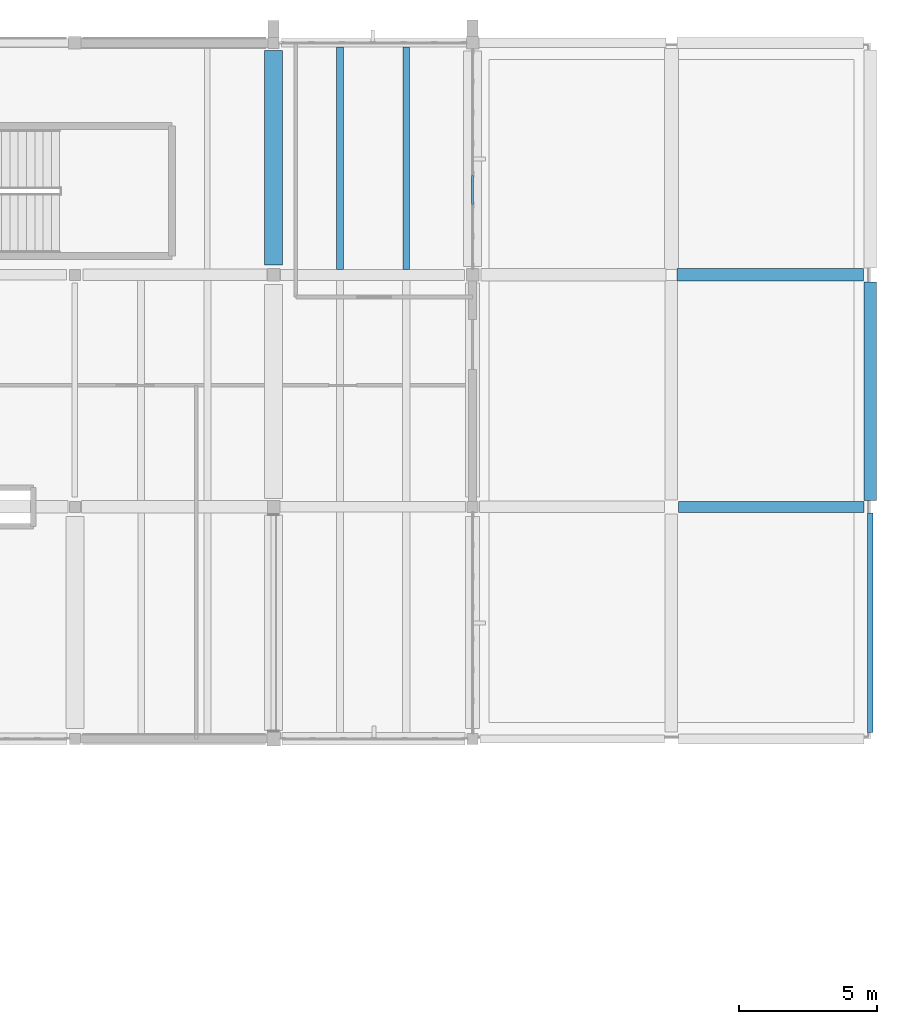
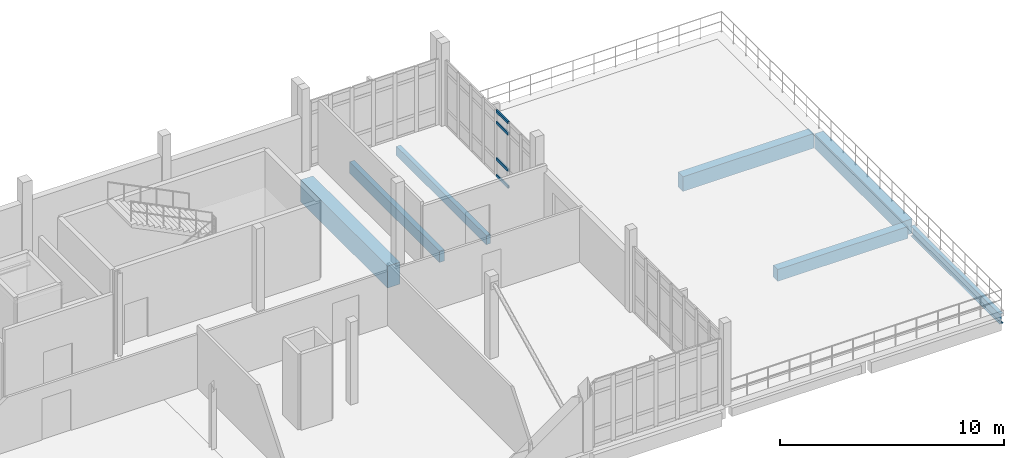
# One storey, part 19 of 34: 7 beams, 4 members, 1 element without a shape of its own.
"""IFC4 building model written with IfcOpenShell, lengths in metres."""

from ifc_helpers import new_model, si_unit, direction, frame, origin, origin_2d, place, context, subcontext, project, spatial, rectangle, hollow_rectangle, i_section, extrude, material, material_profile, profile_set, type_object, element, aggregate, save


model = new_model("IFC4")

# Units and contexts
model_context = context("Model", 3, precision=1e-05, world=origin(), true_north=direction((0.0, 1.0)))
body_context = subcontext(model_context, "Body", "Model", "MODEL_VIEW")
ifc_project = project(units=[si_unit("LENGTHUNIT", "METRE"), si_unit("AREAUNIT", "SQUARE_METRE"), si_unit("VOLUMEUNIT", "CUBIC_METRE"), si_unit("PLANEANGLEUNIT", "RADIAN"), si_unit("MASSUNIT", "GRAM", prefix="KILO")], contexts=[model_context])

# Site, building, storey
site_placement = place(None, origin())
site = spatial("IfcSite", under=ifc_project, at=site_placement, CompositionType="ELEMENT")
building_placement = place(site_placement, origin())
building = spatial("IfcBuilding", under=site, at=building_placement, Name="Kalluvel Institute of Natural Sciences", CompositionType="ELEMENT")
storey_placement = place(building_placement, frame((0.0, 0.0, 36.89990234375)))
storey = spatial("IfcBuildingStorey", under=building, at=storey_placement, Name="L08", CompositionType="ELEMENT", Elevation=36.89990234375)

# Beams
ifc_material_1 = material(Name="Steel E350 Grade 350", Category="steel")
ifc_material_profile_1 = material_profile(ifc_material_1, i_section(OverallWidth=0.18994140625, OverallDepth=0.550048828125, WebThickness=0.01123046875, FlangeThickness=0.019287109375, FilletRadius=0.01806640625, at=origin_2d()), Name="ISMB 550")
ifc_profile_set_1 = profile_set([ifc_material_profile_1], Name="Steel E350 Grade 350")
beam_type_1 = type_object("IfcBeamType", Name="BM-ISMB550", PredefinedType="BEAM", material=ifc_profile_set_1)
beam_1_placement = place(storey_placement, frame((100.39990234375, 103.02490234375, -0.594970703125), z_axis=(0.0, 1.0, 0.0), x_axis=(-1.0, 0.0, 0.0)))
element("IfcBeam", 1, at=beam_1_placement, inside=storey, type_object=beam_type_1, Name="L08 girder GIR-L08-NS-X1004-Y1028", PredefinedType="BEAM", context=body_context, shape_type="SweptSolid", body=[
    extrude(i_section(OverallWidth=0.18994140625, OverallDepth=0.550048828125, WebThickness=0.01123046875, FlangeThickness=0.019287109375, FilletRadius=0.01806640625, at=origin_2d()), origin(), (0.0, 0.0, 1.0), 7.9501953125),
])
ifc_material_2 = material(Name="Concrete M40", Category="concrete")
ifc_material_profile_2 = material_profile(ifc_material_2, rectangle(XDim=0.39990234375, YDim=0.64990234375, at=origin_2d()), Name="RCB 400x650")
ifc_profile_set_2 = profile_set([ifc_material_profile_2], Name="Concrete M40")
beam_type_2 = type_object("IfcBeamType", Name="BM-RC400x650", PredefinedType="BEAM", material=ifc_profile_set_2)
beam_2_placement = place(storey_placement, frame((93.449951171875, 111.199951171875, -0.64501953125), z_axis=(1.0, 0.0, 0.0), x_axis=(0.0, 1.0, 0.0)))
element("IfcBeam", 2, at=beam_2_placement, inside=storey, type_object=beam_type_2, Name="L08 girder GIR-L08-EW-X932-Y1112", PredefinedType="BEAM", context=body_context, shape_type="SweptSolid", body=[
    extrude(rectangle(XDim=0.39990234375, YDim=0.64990234375, at=origin_2d()), origin(), (0.0, 0.0, 1.0), 6.72509765625),
])
ifc_material_profile_3 = material_profile(ifc_material_2, rectangle(XDim=0.449951171875, YDim=0.800048828125, at=origin_2d()), Name="RCB 450x800")
ifc_profile_set_3 = profile_set([ifc_material_profile_3], Name="Concrete M40")
beam_type_3 = type_object("IfcBeamType", Name="BM-RC450x800", PredefinedType="BEAM", material=ifc_profile_set_3)
beam_3_placement = place(storey_placement, frame((93.39990234375, 119.60009765625, -0.719970703125), z_axis=(1.0, 0.0, 0.0), x_axis=(0.0, 1.0, 0.0)))
element("IfcBeam", 3, at=beam_3_placement, inside=storey, type_object=beam_type_3, Name="L08 girder GIR-L08-EW-X932-Y1196", PredefinedType="BEAM", context=body_context, shape_type="SweptSolid", body=[
    extrude(rectangle(XDim=0.449951171875, YDim=0.800048828125, at=origin_2d()), origin(), (0.0, 0.0, 1.0), 6.75),
])
beam_4_placement = place(storey_placement, frame((100.39990234375, 111.425048828125, -0.719970703125), z_axis=(0.0, 1.0, 0.0), x_axis=(-1.0, 0.0, 0.0)))
element("IfcBeam", 4, at=beam_4_placement, inside=storey, type_object=beam_type_3, Name="L08 girder GIR-L08-NS-X1004-Y1112", PredefinedType="BEAM", context=body_context, shape_type="SweptSolid", body=[
    extrude(rectangle(XDim=0.449951171875, YDim=0.800048828125, at=origin_2d()), origin(), (0.0, 0.0, 1.0), 7.925048828125),
])
ifc_material_3 = material(Name="Concrete M50", Category="concrete")
ifc_material_profile_4 = material_profile(ifc_material_3, rectangle(XDim=0.64990234375, YDim=1.199951171875, at=origin_2d()), Name="RCB 650x1200")
ifc_profile_set_4 = profile_set([ifc_material_profile_4], Name="Concrete M50")
beam_type_4 = type_object("IfcBeamType", Name="BM-RC650x1200", PredefinedType="BEAM", material=ifc_profile_set_4)
beam_5_placement = place(storey_placement, frame((78.800048828125, 119.949951171875, -0.919921875), z_axis=(0.0, 1.0, 0.0), x_axis=(-1.0, 0.0, 0.0)))
element("IfcBeam", 5, at=beam_5_placement, inside=storey, type_object=beam_type_4, Name="L08 girder GIR-L08-NS-X788-Y1196", PredefinedType="BEAM", context=body_context, shape_type="SweptSolid", body=[
    extrude(rectangle(XDim=0.64990234375, YDim=1.199951171875, at=origin_2d()), origin(), (0.0, 0.0, 1.0), 7.775146484375),
])

# Curtain wall, members
ifc_material_4 = material(Name="Aluminium AW-6063 T6", Category="aluminium")
curtain_wall_type = type_object("IfcCurtainWallType", Name="CW-WET-45", PredefinedType="USERDEFINED", material=ifc_material_4)
curtain_wall_placement = place(storey_placement, origin())
curtain_wall = element("IfcCurtainWall", 6, at=curtain_wall_placement, inside=storey, type_object=curtain_wall_type, Name="L08 Gothic lancet curtain wall CWA-L08-X860-Y1199", ObjectType="UNITISED LANCET FACADE", PredefinedType="USERDEFINED")
ifc_material_profile_5 = material_profile(ifc_material_4, hollow_rectangle(XDim=0.070068359375, YDim=0.159912109375, WallThickness=0.0048828125, at=origin_2d()), Name="CWT 70x160")
ifc_profile_set_5 = profile_set([ifc_material_profile_5], Name="Aluminium AW-6063 T6")
member_type = type_object("IfcMemberType", Name="CWT-70x160", PredefinedType="USERDEFINED", material=ifc_profile_set_5)
member_1_placement = place(storey_placement, frame((86.0, 122.15283203125, 0.03515625), z_axis=(0.0, 1.0, 0.0), x_axis=(-1.0, 0.0, 0.0)))
member_1 = element("IfcMember", 7, at=member_1_placement, type_object=member_type, Name="CW-01 transom 3.1", ObjectType="TRANSOM", PredefinedType="USERDEFINED", context=body_context, shape_type="SweptSolid", body=[
    extrude(hollow_rectangle(XDim=0.070068359375, YDim=0.159912109375, WallThickness=0.0048828125, at=origin_2d()), origin(), (0.0, 0.0, 1.0), 1.051513671875),
])
member_2_placement = place(storey_placement, frame((86.0, 122.15283203125, 0.9501953125), z_axis=(0.0, 1.0, 0.0), x_axis=(-1.0, 0.0, 0.0)))
member_2 = element("IfcMember", 8, at=member_2_placement, type_object=member_type, Name="CW-01 transom 3.2", ObjectType="TRANSOM", PredefinedType="USERDEFINED", context=body_context, shape_type="SweptSolid", body=[
    extrude(hollow_rectangle(XDim=0.070068359375, YDim=0.159912109375, WallThickness=0.0048828125, at=origin_2d()), origin(), (0.0, 0.0, 1.0), 1.051513671875),
])
member_3_placement = place(storey_placement, frame((86.0, 122.15283203125, 2.93017578125), z_axis=(0.0, 1.0, 0.0), x_axis=(-1.0, 0.0, 0.0)))
member_3 = element("IfcMember", 9, at=member_3_placement, type_object=member_type, Name="CW-01 transom 3.3", ObjectType="TRANSOM", PredefinedType="USERDEFINED", context=body_context, shape_type="SweptSolid", body=[
    extrude(hollow_rectangle(XDim=0.070068359375, YDim=0.159912109375, WallThickness=0.0048828125, at=origin_2d()), origin(), (0.0, 0.0, 1.0), 1.051513671875),
])
member_4_placement = place(storey_placement, frame((86.0, 122.15283203125, 3.545166015625), z_axis=(0.0, 1.0, 0.0), x_axis=(-1.0, 0.0, 0.0)))
member_4 = element("IfcMember", 10, at=member_4_placement, type_object=member_type, Name="CW-01 transom 3.4", ObjectType="TRANSOM", PredefinedType="USERDEFINED", context=body_context, shape_type="SweptSolid", body=[
    extrude(hollow_rectangle(XDim=0.070068359375, YDim=0.159912109375, WallThickness=0.0048828125, at=origin_2d()), origin(), (0.0, 0.0, 1.0), 1.051513671875),
])
aggregate(curtain_wall, [member_1, member_2, member_3, member_4])

# Beams
ifc_material_profile_6 = material_profile(ifc_material_2, rectangle(XDim=0.219970703125, YDim=0.5, at=origin_2d()), Name="WAF 220x500")
ifc_profile_set_6 = profile_set([ifc_material_profile_6], Name="Concrete M40")
beam_type_5 = type_object("IfcBeamType", Name="WJ-220x500", PredefinedType="JOIST", material=ifc_profile_set_6)
beam_6_placement = place(storey_placement, frame((83.60009765625, 119.800048828125, -0.56982421875), z_axis=(0.0, 1.0, 0.0), x_axis=(-1.0, 0.0, 0.0)))
element("IfcBeam", 11, at=beam_6_placement, inside=storey, type_object=beam_type_5, Name="L08 waffle joist RIB-L08-0625", PredefinedType="JOIST", context=body_context, shape_type="SweptSolid", body=[
    extrude(rectangle(XDim=0.219970703125, YDim=0.5, at=origin_2d()), origin(), (0.0, 0.0, 1.0), 8.050048828125),
])
ifc_material_profile_7 = material_profile(ifc_material_3, rectangle(XDim=0.260009765625, YDim=0.6201171875, at=origin_2d()), Name="WAF 260x620")
ifc_profile_set_7 = profile_set([ifc_material_profile_7], Name="Concrete M50")
beam_type_6 = type_object("IfcBeamType", Name="WJ-260x620", PredefinedType="JOIST", material=ifc_profile_set_7)
beam_7_placement = place(storey_placement, frame((81.199951171875, 119.800048828125, -0.6298828125), z_axis=(0.0, 1.0, 0.0), x_axis=(-1.0, 0.0, 0.0)))
element("IfcBeam", 12, at=beam_7_placement, inside=storey, type_object=beam_type_6, Name="L08 waffle joist RIB-L08-0624", PredefinedType="JOIST", context=body_context, shape_type="SweptSolid", body=[
    extrude(rectangle(XDim=0.260009765625, YDim=0.6201171875, at=origin_2d()), origin(), (0.0, 0.0, 1.0), 8.050048828125),
])

save(model, "model.ifc")
